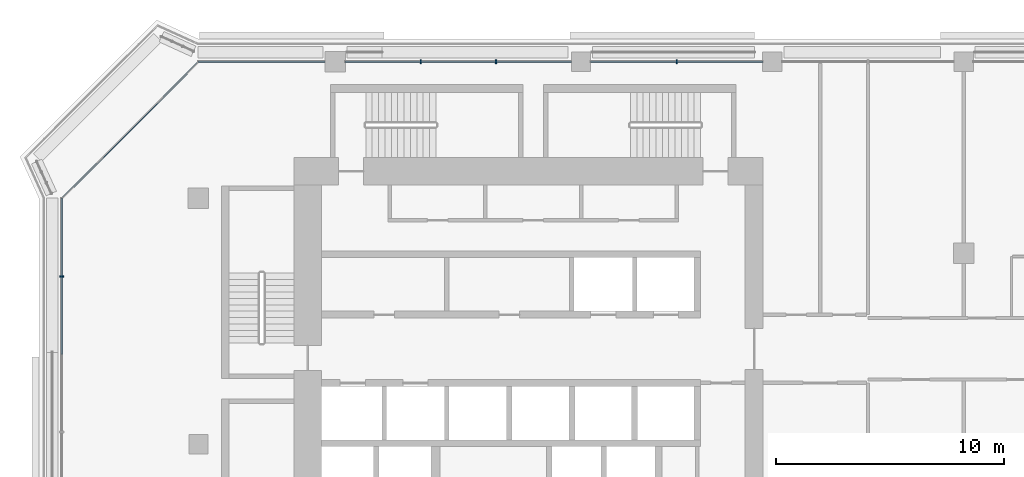
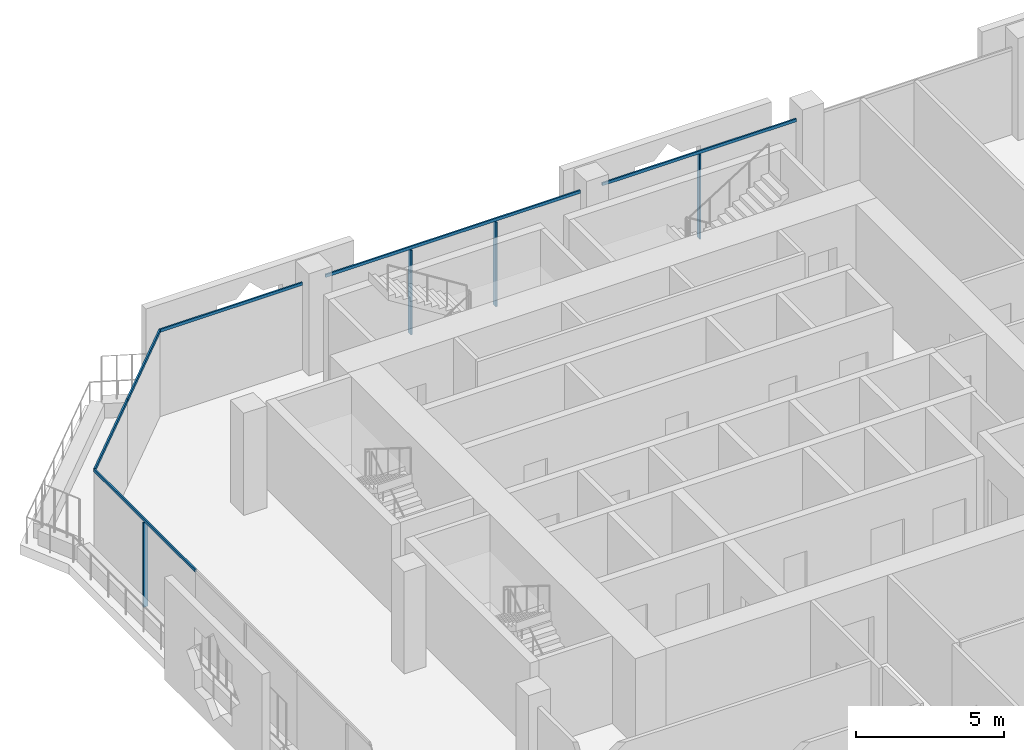
# One storey, part 5 of 22: 10 members, 3 elements without a shape of their own.
"""IFC4 building model written with IfcOpenShell, lengths in metres."""

from ifc_helpers import new_model, si_unit, direction, frame, origin, origin_2d, place, context, subcontext, project, spatial, rectangle, extrude, material, layer, layer_set, material_profile, profile_set, type_object, element, aggregate, save


model = new_model("IFC4")

# Units and contexts
model_context = context("Model", 3, precision=1e-05, world=origin(), true_north=direction((0.0, 1.0)))
body_context = subcontext(model_context, "Body", "Model", "MODEL_VIEW")
ifc_project = project(units=[si_unit("LENGTHUNIT", "METRE"), si_unit("AREAUNIT", "SQUARE_METRE"), si_unit("VOLUMEUNIT", "CUBIC_METRE"), si_unit("PLANEANGLEUNIT", "RADIAN"), si_unit("MASSUNIT", "GRAM", prefix="KILO")], contexts=[model_context])

# Site, building, storey
site_placement = place(None, origin())
site = spatial("IfcSite", under=ifc_project, at=site_placement, CompositionType="ELEMENT")
building_placement = place(site_placement, origin())
building = spatial("IfcBuilding", under=site, at=building_placement, Name="Kawkab Arch Medical Tower", CompositionType="ELEMENT")
storey_placement = place(building_placement, frame((0.0, 0.0, 251.60009765625)))
storey = spatial("IfcBuildingStorey", under=building, at=storey_placement, Name="L58", CompositionType="ELEMENT", Elevation=251.60009765625)

# Curtain wall, member
ifc_material_1 = material(Name="Bronze anodised aluminium curtain wall frame", Category="aluminium")
ifc_layer_1 = layer(ifc_material_1, 0.159912109375)
ifc_layer_set_1 = layer_set([ifc_layer_1], Name="Bronze anodised aluminium curtain wall frame")
curtain_wall_type_1 = type_object("IfcCurtainWallType", Name="CW1 ward curtain wall", PredefinedType="NOTDEFINED", material=ifc_layer_set_1)
placement = place(storey_placement, origin())
curtain_wall_1 = element("IfcCurtainWall", 1, at=placement, inside=storey, type_object=curtain_wall_type_1, Name="CW1 Ward curtain wall R01", PredefinedType="NOTDEFINED")
ifc_material_2 = material(Name="Bronze anodised aluminium curtain wall frame", Category="aluminium")
ifc_material_profile_1 = material_profile(ifc_material_2, rectangle(XDim=0.179931640625, YDim=0.06005859375, at=origin_2d()), Name="AL 60x180")
ifc_profile_set_1 = profile_set([ifc_material_profile_1], Name="Bronze anodised aluminium curtain wall frame")
member_type_1 = type_object("IfcMemberType", Name="CW1 mullion 60 x 180", PredefinedType="MULLION", material=ifc_profile_set_1)
member_1_placement = place(storey_placement, frame((-6.0, -9.419921875, 0.0), z_axis=(0.0, 0.0, 1.0), x_axis=(1.0, 0.0, 0.0)))
member_1 = element("IfcMember", 2, at=member_1_placement, type_object=member_type_1, Name="CW1 mullion 1.1", PredefinedType="MULLION", context=body_context, shape_type="SweptSolid", body=[
    extrude(rectangle(XDim=0.179931640625, YDim=0.06005859375, at=origin_2d()), origin(), (0.0, 0.0, 1.0), 3.47998046875),
])

# Curtain wall, members
curtain_wall_2 = element("IfcCurtainWall", 3, at=placement, inside=storey, type_object=curtain_wall_type_1, Name="CW1 Ward curtain wall R11", PredefinedType="NOTDEFINED")
member_2_placement = place(storey_placement, frame((21.0, 0.0, 0.0), z_axis=(0.0, 0.0, 1.0), x_axis=(0.0, -1.0, 0.0)))
member_2 = element("IfcMember", 4, at=member_2_placement, type_object=member_type_1, Name="CW1 mullion 5.1", PredefinedType="MULLION", context=body_context, shape_type="SweptSolid", body=[
    extrude(rectangle(XDim=0.179931640625, YDim=0.06005859375, at=origin_2d()), origin(), (0.0, 0.0, 1.0), 3.47998046875),
])
member_3_placement = place(storey_placement, frame((13.066650390625, 0.0, 0.0), z_axis=(0.0, 0.0, 1.0), x_axis=(0.0, -1.0, 0.0)))
member_3 = element("IfcMember", 5, at=member_3_placement, type_object=member_type_1, Name="CW1 mullion 6.1", PredefinedType="MULLION", context=body_context, shape_type="SweptSolid", body=[
    extrude(rectangle(XDim=0.179931640625, YDim=0.06005859375, at=origin_2d()), origin(), (0.0, 0.0, 1.0), 3.47998046875),
])
member_4_placement = place(storey_placement, frame((9.75830078125, 0.0, 0.0), z_axis=(0.0, 0.0, 1.0), x_axis=(0.0, -1.0, 0.0)))
member_4 = element("IfcMember", 6, at=member_4_placement, type_object=member_type_1, Name="CW1 mullion 6.2", PredefinedType="MULLION", context=body_context, shape_type="SweptSolid", body=[
    extrude(rectangle(XDim=0.179931640625, YDim=0.06005859375, at=origin_2d()), origin(), (0.0, 0.0, 1.0), 3.47998046875),
])

# Member
ifc_material_3 = material(Name="Bronze anodised aluminium curtain wall frame", Category="aluminium")
ifc_material_profile_2 = material_profile(ifc_material_3, rectangle(XDim=0.06005859375, YDim=0.1201171875, at=origin_2d()), Name="AL 60x120")
ifc_profile_set_2 = profile_set([ifc_material_profile_2], Name="Bronze anodised aluminium curtain wall frame")
member_type_2 = type_object("IfcMemberType", Name="CW1 transom 120 x 60", PredefinedType="USERDEFINED", material=ifc_profile_set_2)
member_5_placement = place(storey_placement, frame((-6.0, -6.0, 3.539794921875), z_axis=(0.0, -1.0, 0.0), x_axis=(1.0, 0.0, 0.0)))
member_5 = element("IfcMember", 7, at=member_5_placement, type_object=member_type_2, Name="CW1 transom 1", ObjectType="TRANSOM", PredefinedType="USERDEFINED", context=body_context, shape_type="SweptSolid", body=[
    extrude(rectangle(XDim=0.06005859375, YDim=0.1201171875, at=origin_2d()), origin(), (0.0, 0.0, 1.0), 6.840087890625),
])

aggregate(curtain_wall_1, [member_5, member_1])

member_6_placement = place(storey_placement, frame((24.77490234375, 0.0, 3.539794921875), z_axis=(-1.0, 0.0, 0.0), x_axis=(0.0, -1.0, 0.0)))
member_6 = element("IfcMember", 8, at=member_6_placement, type_object=member_type_2, Name="CW1 transom 5", ObjectType="TRANSOM", PredefinedType="USERDEFINED", context=body_context, shape_type="SweptSolid", body=[
    extrude(rectangle(XDim=0.06005859375, YDim=0.1201171875, at=origin_2d()), origin(), (0.0, 0.0, 1.0), 7.5498046875),
])

member_7_placement = place(storey_placement, frame((16.375, 0.0, 3.539794921875), z_axis=(-1.0, 0.0, 0.0), x_axis=(0.0, -1.0, 0.0)))
member_7 = element("IfcMember", 9, at=member_7_placement, type_object=member_type_2, Name="CW1 transom 6", ObjectType="TRANSOM", PredefinedType="USERDEFINED", context=body_context, shape_type="SweptSolid", body=[
    extrude(rectangle(XDim=0.06005859375, YDim=0.1201171875, at=origin_2d()), origin(), (0.0, 0.0, 1.0), 9.925048828125),
])

member_8_placement = place(storey_placement, frame((5.550048828125, 0.0, 3.539794921875), z_axis=(-1.0, 0.0, 0.0), x_axis=(0.0, -1.0, 0.0)))
member_8 = element("IfcMember", 10, at=member_8_placement, type_object=member_type_2, Name="CW1 transom 7", ObjectType="TRANSOM", PredefinedType="USERDEFINED", context=body_context, shape_type="SweptSolid", body=[
    extrude(rectangle(XDim=0.06005859375, YDim=0.1201171875, at=origin_2d()), origin(), (0.0, 0.0, 1.0), 5.550048828125),
])

aggregate(curtain_wall_2, [member_6, member_2, member_7, member_3, member_4, member_8])

# Curtain wall, members
ifc_material_4 = material(Name="Bronze anodised aluminium curtain wall frame", Category="aluminium")
ifc_layer_2 = layer(ifc_material_4, 0.159912109375)
ifc_layer_set_2 = layer_set([ifc_layer_2], Name="Bronze anodised aluminium curtain wall frame")
curtain_wall_type_2 = type_object("IfcCurtainWallType", Name="CW2 chamfer curtain wall", PredefinedType="NOTDEFINED", material=ifc_layer_set_2)
curtain_wall_3 = element("IfcCurtainWall", 11, at=placement, inside=storey, type_object=curtain_wall_type_2, Name="CW2 Chamfer curtain wall R12", PredefinedType="NOTDEFINED")
ifc_material_5 = material(Name="Bronze anodised aluminium curtain wall frame", Category="aluminium")
ifc_material_profile_3 = material_profile(ifc_material_5, rectangle(XDim=0.06005859375, YDim=0.139892578125, at=origin_2d()), Name="AL 60x140")
ifc_profile_set_3 = profile_set([ifc_material_profile_3], Name="Bronze anodised aluminium curtain wall frame")
member_type_3 = type_object("IfcMemberType", Name="CW2 transom 140 x 60", PredefinedType="USERDEFINED", material=ifc_profile_set_3)
member_9_placement = place(storey_placement, frame((0.0, 0.0, 3.52978515625), z_axis=(-0.707106781187, -0.707106781187, 0.0), x_axis=(0.707106781187, -0.707106781187, 0.0)))
member_9 = element("IfcMember", 12, at=member_9_placement, type_object=member_type_3, Name="CW2 transom 1", ObjectType="TRANSOM", PredefinedType="USERDEFINED", context=body_context, shape_type="SweptSolid", body=[
    extrude(rectangle(XDim=0.06005859375, YDim=0.139892578125, at=origin_2d()), origin(), (0.0, 0.0, 1.0), 4.24267578125),
])
member_10_placement = place(storey_placement, frame((-3.0, -3.0, 3.52978515625), z_axis=(-0.707106781187, -0.707106781187, 0.0), x_axis=(0.707106781187, -0.707106781187, 0.0)))
member_10 = element("IfcMember", 13, at=member_10_placement, type_object=member_type_3, Name="CW2 transom 2", ObjectType="TRANSOM", PredefinedType="USERDEFINED", context=body_context, shape_type="SweptSolid", body=[
    extrude(rectangle(XDim=0.06005859375, YDim=0.139892578125, at=origin_2d()), origin(), (0.0, 0.0, 1.0), 4.24267578125),
])
aggregate(curtain_wall_3, [member_9, member_10])

save(model, "model.ifc")
